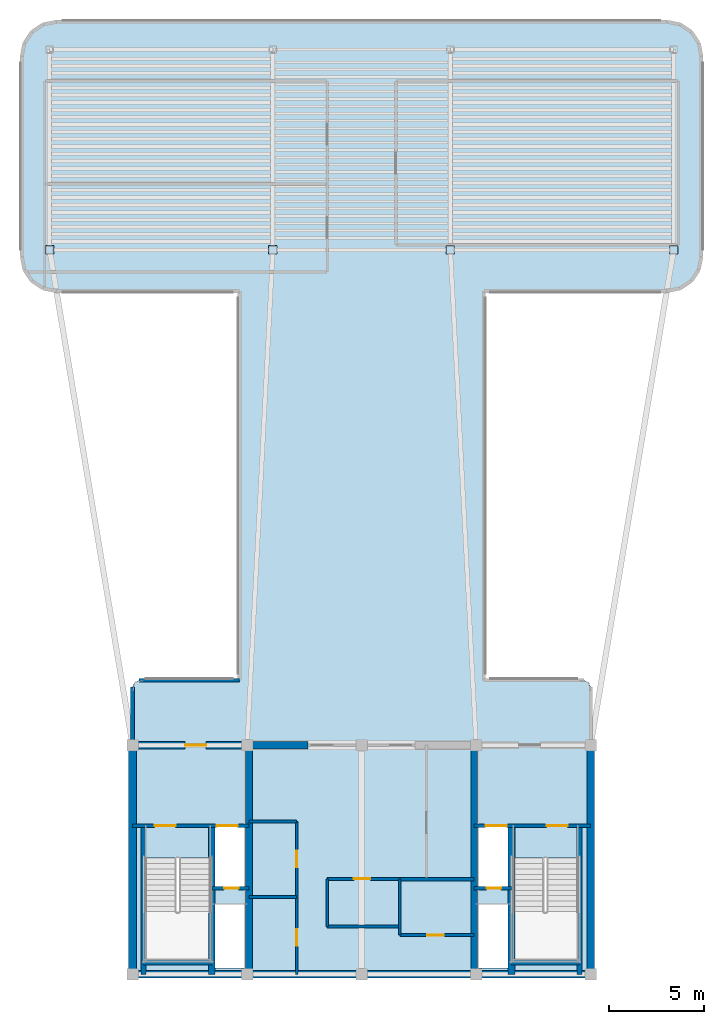
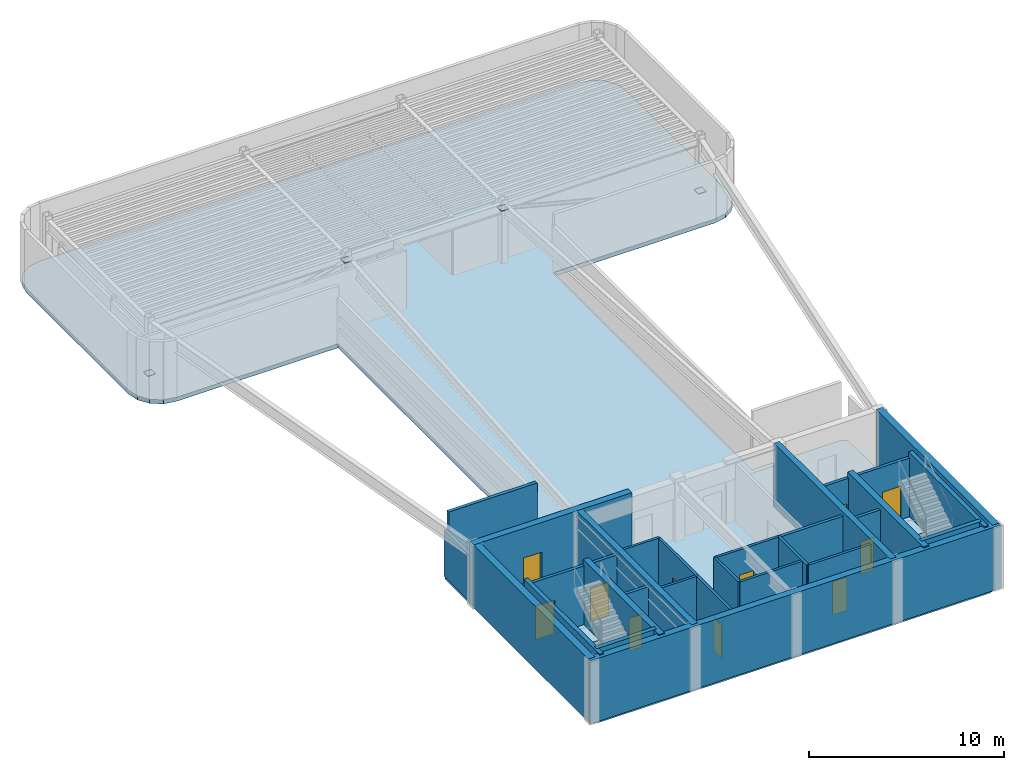
# One storey, part 2 of 6: 27 walls, 11 doors, 4 plates, 1 slab, 11 openings.
"""IFC4 building model written with IfcOpenShell, lengths in metres."""

import ifcopenshell
import ifcopenshell.guid

model = None  # the IFC model being written
_history = None  # IfcOwnerHistory: only IFC2X3 demands one
_inside = {}  # id of a spatial element -> (the spatial element, [elements in it])
_under = {}  # id of a project, library or spatial element -> (it, [spatial elements below it])
_declared = {}  # id of a project -> (the project, [libraries it declares])
_typed = {}  # id of a type object -> (the type object, [elements of that type])
_made_of = {}  # id of a material, layer set ... -> (it, [elements and type objects made of it])


def new_model(schema):
    """Start an empty IFC model of exactly this schema.

    Asked for "IFC4X3", IfcOpenShell would pick the latest addendum, in which some entities
    have other attributes; the version numbers below select the first issue.
    IFC2X3 requires an IfcOwnerHistory on every rooted entity: one is made here for all.
    """
    global model, _history
    if schema == "IFC4X3":
        model = ifcopenshell.file(schema_version=(4, 3, 0, 0))
    else:
        model = ifcopenshell.file(schema=schema)
    _inside.clear()
    _under.clear()
    _declared.clear()
    _typed.clear()
    _made_of.clear()
    _history = None
    if model.schema == "IFC2X3":
        org = make("IfcOrganization", Name="unknown")
        user = make(
            "IfcPersonAndOrganization",
            ThePerson=make("IfcPerson", FamilyName="unknown"),
            TheOrganization=org,
        )
        app = make(
            "IfcApplication",
            ApplicationDeveloper=org,
            Version="unknown",
            ApplicationFullName="unknown",
            ApplicationIdentifier="unknown",
        )
        _history = make(
            "IfcOwnerHistory",
            OwningUser=user,
            OwningApplication=app,
            ChangeAction="ADDED",
            CreationDate=0,
        )
    return model


def make(cls, **values):
    """One entity of the class cls with the attributes given. An attribute that is None is left unset."""
    return model.create_entity(
        cls, **{name: value for name, value in values.items() if value is not None}
    )


def rooted(cls, **values):
    """An entity with a GlobalId (a new one), such as an element, a storey or a relation."""
    return make(cls, GlobalId=ifcopenshell.guid.new(), OwnerHistory=_history, **values)


def si_unit(unit_type, name, prefix=None):
    """IfcSIUnit, for example si_unit("LENGTHUNIT", "METRE", prefix="MILLI")."""
    return make("IfcSIUnit", UnitType=unit_type, Prefix=prefix, Name=name)


def assignment(units):
    """IfcUnitAssignment: the units of a project."""
    return None if units is None else make("IfcUnitAssignment", Units=units)


def point(xyz):
    """IfcCartesianPoint."""
    return None if xyz is None else make("IfcCartesianPoint", Coordinates=xyz)


def direction(xyz):
    """IfcDirection."""
    return None if xyz is None else make("IfcDirection", DirectionRatios=xyz)


def frame(location, z_axis=None, x_axis=None):
    """IfcAxis2Placement3D, a coordinate frame: its origin and axes. An axis left out is left unset."""
    return make(
        "IfcAxis2Placement3D",
        Location=point(location),
        Axis=direction(z_axis),
        RefDirection=direction(x_axis),
    )


def frame_2d(location, x_axis=None):
    """IfcAxis2Placement2D, a coordinate frame in the plane: its origin and x axis."""
    return make(
        "IfcAxis2Placement2D", Location=point(location), RefDirection=direction(x_axis)
    )


def origin():
    """The frame at (0, 0, 0) with its axes left unset."""
    return frame((0.0, 0.0, 0.0))


def origin_2d():
    """The frame at (0, 0) in the plane with its x axis left unset."""
    return frame_2d((0.0, 0.0))


def place(relative_to, where):
    """IfcLocalPlacement: puts the frame where relative to a parent placement (None: the world)."""
    return make(
        "IfcLocalPlacement", PlacementRelTo=relative_to, RelativePlacement=where
    )


def context(
    kind, dimensions, precision=None, world=None, true_north=None, identifier=None
):
    """IfcGeometricRepresentationContext, for example the 3D "Model" context."""
    return make(
        "IfcGeometricRepresentationContext",
        ContextIdentifier=identifier,
        ContextType=kind,
        CoordinateSpaceDimension=dimensions,
        Precision=precision,
        WorldCoordinateSystem=world,
        TrueNorth=true_north,
    )


def subcontext(parent, identifier, kind, view, scale=None):
    """IfcGeometricRepresentationSubContext, for example "Body" below "Model"."""
    return make(
        "IfcGeometricRepresentationSubContext",
        ContextIdentifier=identifier,
        ContextType=kind,
        ParentContext=parent,
        TargetScale=scale,
        TargetView=view,
    )


def project(units=None, contexts=None):
    """IfcProject with its units and contexts."""
    return rooted(
        "IfcProject",
        Name="project",
        RepresentationContexts=contexts,
        UnitsInContext=assignment(units),
    )


def spatial(cls, under=None, at=None, **own):
    """A site, building, storey or space (cls), placed at a placement, below another one or the project."""
    s = rooted(cls, ObjectPlacement=at, **own)
    if under is not None:
        _under.setdefault(under.id(), (under, []))[1].append(s)
    return s


def polyline(points):
    """IfcPolyline through the points."""
    return make("IfcPolyline", Points=[point(p) for p in points])


def profile(cls, at=None, kind="AREA", **sizes):
    """A parametric profile (cls). Its sizes go by their IFC names, for example OverallWidth=200.0."""
    return make(cls, ProfileType=kind, Position=at, **sizes)


def rectangle(**sizes):
    """IfcRectangleProfileDef."""
    return profile("IfcRectangleProfileDef", **sizes)


def outline(outer, holes=None, kind="AREA"):
    """IfcArbitraryClosedProfileDef: a profile drawn as a closed curve; with holes, ...WithVoids."""
    if holes is None:
        return make("IfcArbitraryClosedProfileDef", ProfileType=kind, OuterCurve=outer)
    return make(
        "IfcArbitraryProfileDefWithVoids",
        ProfileType=kind,
        OuterCurve=outer,
        InnerCurves=holes,
    )


def extrude(swept, where, along, depth):
    """IfcExtrudedAreaSolid: the profile swept, set in the frame where, extruded along a direction by depth."""
    return make(
        "IfcExtrudedAreaSolid",
        SweptArea=swept,
        Position=where,
        ExtrudedDirection=direction(along),
        Depth=depth,
    )


def shape(context_of_items, identifier, shape_type, items):
    """IfcShapeRepresentation: the items that make up one representation, for example the "Body"."""
    return make(
        "IfcShapeRepresentation",
        ContextOfItems=context_of_items,
        RepresentationIdentifier=identifier,
        RepresentationType=shape_type,
        Items=items,
    )


def source(mapping_origin, context_of_items, identifier, shape_type, items):
    """IfcRepresentationMap: a shape defined once, which mapped items show again and again."""
    return make(
        "IfcRepresentationMap",
        MappingOrigin=mapping_origin,
        MappedRepresentation=shape(context_of_items, identifier, shape_type, items),
    )


def transform(
    local_origin,
    x_axis=None,
    y_axis=None,
    z_axis=None,
    scale=None,
    scale2=None,
    scale3=None,
    uniform=True,
):
    """IfcCartesianTransformationOperator3D, or its non-uniform kind. x_axis, y_axis, z_axis: its Axis1, 2, 3."""
    if uniform:
        return make(
            "IfcCartesianTransformationOperator3D",
            Axis1=direction(x_axis),
            Axis2=direction(y_axis),
            LocalOrigin=point(local_origin),
            Scale=scale,
            Axis3=direction(z_axis),
        )
    return make(
        "IfcCartesianTransformationOperator3DnonUniform",
        Axis1=direction(x_axis),
        Axis2=direction(y_axis),
        LocalOrigin=point(local_origin),
        Scale=scale,
        Axis3=direction(z_axis),
        Scale2=scale2,
        Scale3=scale3,
    )


def mapped(mapping_source, mapping_target):
    """IfcMappedItem: shows the shape of a source again, moved by a transform."""
    return make(
        "IfcMappedItem", MappingSource=mapping_source, MappingTarget=mapping_target
    )


def material(Name=None, Category=None):
    """IfcMaterial."""
    return make("IfcMaterial", Name=Name, Category=Category)


def layer(
    of_material, thickness, ventilated=None, Name=None, Category=None, Priority=None
):
    """IfcMaterialLayer: one layer of a wall or slab, of a material (None: an air gap)."""
    return make(
        "IfcMaterialLayer",
        Material=of_material,
        LayerThickness=thickness,
        IsVentilated=ventilated,
        Name=Name,
        Category=Category,
        Priority=Priority,
    )


def layer_set(layers, Name=None):
    """IfcMaterialLayerSet."""
    return make("IfcMaterialLayerSet", MaterialLayers=layers, LayerSetName=Name)


def made_of(thing, what):
    """Note that an element or type object is made of a material, layer set ...; save() writes the relation."""
    if what is not None:
        _made_of.setdefault(what.id(), (what, []))[1].append(thing)
    return thing


def type_object(cls, material=None, **own):
    """A type object (cls), such as IfcWallType, which elements share."""
    return made_of(rooted(cls, **own), material)


def element(
    cls,
    number,
    at=None,
    inside=None,
    cuts=None,
    type_object=None,
    material=None,
    context=None,
    identifier="Body",
    shape_type=None,
    held_by="IfcProductDefinitionShape",
    body=None,
    shapes=None,
    **own,
):
    """One element of the class cls, such as IfcWall. Its Tag is "e" and its number.

    at: its placement. inside: the storey or other place that contains it. cuts: it is an
    opening in that element (IfcRelVoidsElement). A single representation is given by context,
    identifier, shape_type and body (its items); several are given by shapes. held_by: the class
    of the entity that holds the representations. save() writes the other relations.
    """
    e = rooted(cls, Tag="e%d" % number, ObjectPlacement=at, **own)
    if body is not None:
        shapes = [shape(context, identifier, shape_type, body)]
    if shapes is not None:
        e.Representation = make(held_by, Representations=shapes)
    if inside is not None:
        _inside.setdefault(inside.id(), (inside, []))[1].append(e)
    if cuts is not None:
        rooted(
            "IfcRelVoidsElement", RelatingBuildingElement=cuts, RelatedOpeningElement=e
        )
    if type_object is not None:
        _typed.setdefault(type_object.id(), (type_object, []))[1].append(e)
    return made_of(e, material)


def fill(opening, filler):
    """IfcRelFillsElement: the door or window that sits in an opening."""
    return rooted(
        "IfcRelFillsElement",
        RelatingOpeningElement=opening,
        RelatedBuildingElement=filler,
    )


def aggregate(whole, parts):
    """IfcRelAggregates: a whole, such as a stair, and the parts it consists of."""
    return rooted("IfcRelAggregates", RelatingObject=whole, RelatedObjects=parts)


def save(model, path):
    """Write the relations noted so far, then the file.

    IfcRelAggregates (storeys below a building ...), IfcRelContainedInSpatialStructure (elements
    in a storey), IfcRelDefinesByType, IfcRelAssociatesMaterial and IfcRelDeclares: one each for
    every whole, place, type object, material and project.
    """
    for whole, parts in _under.values():
        aggregate(whole, parts)
    for where, things in _inside.values():
        rooted(
            "IfcRelContainedInSpatialStructure",
            RelatedElements=things,
            RelatingStructure=where,
        )
    for kind, things in _typed.values():
        rooted("IfcRelDefinesByType", RelatedObjects=things, RelatingType=kind)
    for what, things in _made_of.values():
        rooted("IfcRelAssociatesMaterial", RelatedObjects=things, RelatingMaterial=what)
    for by, libraries in _declared.values():
        rooted("IfcRelDeclares", RelatingContext=by, RelatedDefinitions=libraries)
    model.write(path)


model = new_model("IFC4")

# Units and contexts
model_context = context("Model", 3, precision=1e-05, world=origin(), true_north=direction((0.0, 1.0)))
body_context = subcontext(model_context, "Body", "Model", "MODEL_VIEW")
ifc_project = project(units=[si_unit("LENGTHUNIT", "METRE"), si_unit("AREAUNIT", "SQUARE_METRE"), si_unit("VOLUMEUNIT", "CUBIC_METRE"), si_unit("PLANEANGLEUNIT", "RADIAN"), si_unit("MASSUNIT", "GRAM", prefix="KILO")], contexts=[model_context])

# Site, building, storey
site_placement = place(None, origin())
site = spatial("IfcSite", under=ifc_project, at=site_placement, CompositionType="ELEMENT")
building_placement = place(site_placement, origin())
building = spatial("IfcBuilding", under=site, at=building_placement, Name="Brelvock Crest Care Tower", CompositionType="ELEMENT")
storey_placement = place(building_placement, frame((0.0, 0.0, 311.760009765625)))
storey = spatial("IfcBuildingStorey", under=building, at=storey_placement, Name="L79", CompositionType="ELEMENT", Elevation=311.760009765625)

# Slab
ifc_material_1 = material(Name="Concrete N50 (50 MPa)", Category="concrete")
ifc_layer_1 = layer(ifc_material_1, 0.25, Name="SLB-FL3")
ifc_layer_set_1 = layer_set([ifc_layer_1], Name="Concrete N50 (50 MPa)")
slab_type = type_object("IfcSlabType", Name="SLB-FL3", PredefinedType="FLOOR", material=ifc_layer_set_1)
slab_placement = place(storey_placement, frame((0.0, 0.0, -0.25)))
element("IfcSlab", 1, at=slab_placement, inside=storey, type_object=slab_type, Name="L79 Main Structural Slab", PredefinedType="FLOOR", context=body_context, shape_type="SweptSolid", body=[
    extrude(outline(polyline([(42.39990234375, 21.39990234375), (42.39990234375, 41.800048828125), (52.0, 41.800048828125), (52.688720703125, 41.93701171875), (53.272705078125, 42.3271484375), (53.6630859375, 42.9111328125), (53.800048828125, 43.60009765625), (53.800048828125, 54.10009765625), (53.6630859375, 54.788818359375), (53.272705078125, 55.372802734375), (52.688720703125, 55.762939453125), (52.0, 55.89990234375), (20.0, 55.89990234375), (19.311279296875, 55.762939453125), (18.727294921875, 55.372802734375), (18.3369140625, 54.788818359375), (18.199951171875, 54.10009765625), (18.199951171875, 43.60009765625), (18.3369140625, 42.9111328125), (18.727294921875, 42.3271484375), (19.311279296875, 41.93701171875), (20.0, 41.800048828125), (29.60009765625, 41.800048828125), (29.60009765625, 21.39990234375), (24.35009765625, 21.39990234375), (24.1025390625, 21.297607421875), (24.0, 21.050048828125), (24.0, 6.35009765625), (24.1025390625, 6.1025390625), (24.35009765625, 6.0), (47.64990234375, 6.0), (47.8974609375, 6.1025390625), (48.0, 6.35009765625), (48.0, 21.050048828125), (47.8974609375, 21.297607421875), (47.64990234375, 21.39990234375), (42.39990234375, 21.39990234375)]), holes=[polyline([(28.239990234375, 10.580078125), (29.97998046875, 10.580078125), (29.97998046875, 13.739990234375), (28.239990234375, 13.739990234375), (28.239990234375, 10.580078125)]), polyline([(42.02001953125, 10.580078125), (43.760009765625, 10.580078125), (43.760009765625, 13.739990234375), (42.02001953125, 13.739990234375), (42.02001953125, 10.580078125)]), polyline([(28.239990234375, 6.340087890625), (29.97998046875, 6.340087890625), (29.97998046875, 9.64990234375), (28.239990234375, 9.64990234375), (28.239990234375, 6.340087890625)]), polyline([(24.6298828125, 12.080078125), (24.6298828125, 6.699951171875), (28.110107421875, 6.699951171875), (28.110107421875, 12.080078125), (24.6298828125, 12.080078125)]), polyline([(43.889892578125, 12.080078125), (43.889892578125, 6.699951171875), (47.3701171875, 6.699951171875), (47.3701171875, 12.080078125), (43.889892578125, 12.080078125)]), polyline([(42.02001953125, 6.340087890625), (43.760009765625, 6.340087890625), (43.760009765625, 9.64990234375), (42.02001953125, 9.64990234375), (42.02001953125, 6.340087890625)])]), origin(), (0.0, 0.0, 1.0), 0.25),
])

# Plates
ifc_material_2 = material(Name="Steel Grade 350", Category="steel")
plate_type = type_object("IfcPlateType", Name="PLT-EC3", PredefinedType="USERDEFINED", material=ifc_material_2)
shared_shape_1 = source(origin(), body_context, "Body", "SweptSolid", [
    extrude(rectangle(XDim=0.449951171875, YDim=0.449951171875, at=origin_2d()), origin(), (0.0, 0.0, 1.0), 0.02490234375),
])
for number, where, z_axis, x_axis, name in (
    (2, (19.64990234375, 43.949951171875, 0.337646484375), (0.0, 0.0, 1.0), (1.0, 0.0, 0.0), "PLT-CANSTC1-L79-W"),
    (3, (31.35009765625, 43.949951171875, 3.34765625), (0.0, 0.0, 1.0), (1.0, 0.0, 0.0), "PLT-CANSTC2-L79-W"),
    (4, (52.35009765625, 43.949951171875, 0.337646484375), (0.0, 0.0, 1.0), (1.0, 0.0, 0.0), "PLT-CANSTC1-L79-E"),
    (5, (40.64990234375, 43.949951171875, 3.34765625), (0.0, 0.0, 1.0), (1.0, 0.0, 0.0), "PLT-CANSTC2-L79-E"),
):
    element("IfcPlate", number, at=place(storey_placement, frame(where, z_axis=z_axis, x_axis=x_axis)), inside=storey, type_object=plate_type, Name=name, ObjectType="FLANGE_PLATE", PredefinedType="USERDEFINED", context=body_context, shape_type="MappedRepresentation", body=[
        mapped(shared_shape_1, transform((0.0, 0.0, 0.0), x_axis=(1.0, 0.0, 0.0), y_axis=(0.0, 1.0, 0.0), z_axis=(0.0, 0.0, 1.0), scale=1.0)),
    ])

# Walls
ifc_material_3 = material(Name="Concrete S65 (65 MPa)", Category="concrete")
ifc_layer_2 = layer(ifc_material_3, 0.39990234375, Name="WL-CS4")
ifc_layer_set_2 = layer_set([ifc_layer_2], Name="Concrete S65 (65 MPa)")
wall_type_1 = type_object("IfcWallType", Name="WL-CS4", PredefinedType="SHEAR", material=ifc_layer_set_2)
wall_1_placement = place(storey_placement, frame((48.199951171875, 6.0, 0.0), z_axis=(0.0, 0.0, 1.0), x_axis=(-1.0, 0.0, 0.0)))
element("IfcWall", 6, at=wall_1_placement, inside=storey, type_object=wall_type_1, Name="L79 Core South Shear Wall", PredefinedType="SHEAR", context=body_context, shape_type="SweptSolid", body=[
    extrude(rectangle(XDim=24.39990234375, YDim=0.39990234375, at=frame_2d((12.199951171875, 0.0))), origin(), (0.0, 0.0, 1.0), 3.9599609375),
])
for number, where, z_axis, x_axis, name in (
    (7, (24.0, 6.0, 0.0), (0.0, 0.0, 1.0), (0.0, 1.0, 0.0), "L79 Core West Shear Wall"),
    (8, (48.0, 18.0, 0.0), (0.0, 0.0, 1.0), (0.0, -1.0, 0.0), "L79 Core East Shear Wall"),
):
    element("IfcWall", number, at=place(storey_placement, frame(where, z_axis=z_axis, x_axis=x_axis)), inside=storey, type_object=wall_type_1, Name=name, PredefinedType="SHEAR", context=body_context, shape_type="SweptSolid", body=[
        extrude(rectangle(XDim=12.0, YDim=0.39990234375, at=frame_2d((6.0, 0.0))), origin(), (0.0, 0.0, 1.0), 3.9599609375),
    ])

# Wall, opening, door
wall_2_placement = place(storey_placement, frame((23.800048828125, 18.0, 0.0), z_axis=(0.0, 0.0, 1.0), x_axis=(1.0, 0.0, 0.0)))
wall_2 = element("IfcWall", 9, at=wall_2_placement, inside=storey, type_object=wall_type_1, Name="L79 Core North-West Shear Wall", PredefinedType="SHEAR", context=body_context, shape_type="SweptSolid", body=[
    extrude(rectangle(XDim=9.39990234375, YDim=0.39990234375, at=frame_2d((4.699951171875, 0.0))), origin(), (0.0, 0.0, 1.0), 3.9599609375),
])
opening_1_placement = place(wall_2_placement, frame((2.949951171875, 0.0, 0.0)))
opening_1 = element("IfcOpeningElement", 10, at=opening_1_placement, cuts=wall_2, Name="Opening FD-1", PredefinedType="OPENING", context=body_context, shape_type="SweptSolid", body=[
    extrude(rectangle(XDim=1.10009765625, YDim=2.10009765625, at=origin_2d()), frame((0.550048828125, 0.2099609375, 1.050048828125), z_axis=(0.0, -1.0, 0.0), x_axis=(1.0, 0.0, 0.0)), (0.0, 0.0, 1.0), 0.419921875),
])
door_type_1 = type_object("IfcDoorType", Name="DR-FFL1", OperationType="NOTDEFINED", PredefinedType="DOOR", material=ifc_material_2)
shared_shape_2 = source(origin(), body_context, "Body", "SweptSolid", [
    extrude(rectangle(XDim=1.10009765625, YDim=2.10009765625, at=origin_2d()), frame((0.550048828125, 0.02490234375, 1.050048828125), z_axis=(0.0, -1.0, 0.0), x_axis=(1.0, 0.0, 0.0)), (0.0, 0.0, 1.0), 0.050048828125),
])
door_1_placement = place(opening_1_placement, origin())
door_1 = element("IfcDoor", 11, at=door_1_placement, inside=storey, type_object=door_type_1, Name="L79 Firefighting Lobby FFL-1 Exit Door", OperationType="SINGLE_SWING_LEFT", OverallHeight=2.10009765625, OverallWidth=1.10009765625, PredefinedType="DOOR", context=body_context, shape_type="MappedRepresentation", body=[
    mapped(shared_shape_2, transform((0.0, 0.0, 0.0), x_axis=(1.0, 0.0, 0.0), y_axis=(0.0, 1.0, 0.0), z_axis=(0.0, 0.0, 1.0), scale=1.0)),
])
fill(opening_1, door_1)

# Walls
ifc_material_4 = material(Name="Concrete S80 (80 MPa)", Category="concrete")
ifc_layer_3 = layer(ifc_material_4, 0.35009765625, Name="WL-CS5")
ifc_layer_set_3 = layer_set([ifc_layer_3], Name="Concrete S80 (80 MPa)")
wall_type_2 = type_object("IfcWallType", Name="WL-CS5", PredefinedType="SHEAR", material=ifc_layer_set_3)
for number, where, z_axis, x_axis, name in (
    (12, (30.10009765625, 6.0, 0.0), (0.0, 0.0, 1.0), (0.0, 1.0, 0.0), "L79 Core Internal Web Wall West"),
    (13, (41.89990234375, 18.0, 0.0), (0.0, 0.0, 1.0), (0.0, -1.0, 0.0), "L79 Core Internal Web Wall East"),
):
    element("IfcWall", number, at=place(storey_placement, frame(where, z_axis=z_axis, x_axis=x_axis)), inside=storey, type_object=wall_type_2, Name=name, PredefinedType="SHEAR", context=body_context, shape_type="SweptSolid", body=[
        extrude(rectangle(XDim=12.0, YDim=0.35009765625, at=frame_2d((6.0, 0.0))), origin(), (0.0, 0.0, 1.0), 3.9599609375),
    ])
for number, where, z_axis, x_axis, name in (
    (14, (28.14990234375, 6.0, 0.0), (0.0, 0.0, 1.0), (0.0, 1.0, 0.0), "L79 Core Stair ST-1 East Shear Wall"),
    (15, (43.85009765625, 6.0, 0.0), (0.0, 0.0, 1.0), (0.0, 1.0, 0.0), "L79 Core Stair ST-2 West Shear Wall"),
):
    element("IfcWall", number, at=place(storey_placement, frame(where, z_axis=z_axis, x_axis=x_axis)), inside=storey, type_object=wall_type_2, Name=name, PredefinedType="SHEAR", context=body_context, shape_type="SweptSolid", body=[
        extrude(rectangle(XDim=7.780029296875, YDim=0.35009765625, at=frame_2d((3.89013671875, 0.0))), origin(), (0.0, 0.0, 1.0), 4.030029296875),
    ])
ifc_layer_4 = layer(ifc_material_4, 0.25, Name="WL-CS6")
ifc_layer_set_4 = layer_set([ifc_layer_4], Name="Concrete S80 (80 MPa)")
wall_type_3 = type_object("IfcWallType", Name="WL-CS6", PredefinedType="SHEAR", material=ifc_layer_set_4)
wall_3_placement = place(storey_placement, frame((24.580078125, 6.0, 0.0), z_axis=(0.0, 0.0, 1.0), x_axis=(0.0, 1.0, 0.0)))
element("IfcWall", 16, at=wall_3_placement, inside=storey, type_object=wall_type_3, Name="L79 Core Stair ST-1 West Shear Wall", PredefinedType="SHEAR", context=body_context, shape_type="SweptSolid", body=[
    extrude(rectangle(XDim=7.780029296875, YDim=0.25, at=frame_2d((3.89013671875, 0.0))), origin(), (0.0, 0.0, 1.0), 4.030029296875),
])
wall_4_placement = place(storey_placement, frame((24.580078125, 6.6201171875, 0.0), z_axis=(0.0, 0.0, 1.0), x_axis=(1.0, 0.0, 0.0)))
element("IfcWall", 17, at=wall_4_placement, inside=storey, type_object=wall_type_3, Name="L79 Core Stair ST-1 South Shear Wall", PredefinedType="SHEAR", context=body_context, shape_type="SweptSolid", body=[
    extrude(rectangle(XDim=3.56982421875, YDim=0.25, at=frame_2d((1.784912109375, 0.0))), origin(), (0.0, 0.0, 1.0), 4.030029296875),
])
wall_5_placement = place(storey_placement, frame((47.419921875, 6.0, 0.0), z_axis=(0.0, 0.0, 1.0), x_axis=(0.0, 1.0, 0.0)))
element("IfcWall", 18, at=wall_5_placement, inside=storey, type_object=wall_type_3, Name="L79 Core Stair ST-2 East Shear Wall", PredefinedType="SHEAR", context=body_context, shape_type="SweptSolid", body=[
    extrude(rectangle(XDim=7.780029296875, YDim=0.25, at=frame_2d((3.89013671875, 0.0))), origin(), (0.0, 0.0, 1.0), 4.030029296875),
])
wall_6_placement = place(storey_placement, frame((43.85009765625, 6.6201171875, 0.0), z_axis=(0.0, 0.0, 1.0), x_axis=(1.0, 0.0, 0.0)))
element("IfcWall", 19, at=wall_6_placement, inside=storey, type_object=wall_type_3, Name="L79 Core Stair ST-2 South Shear Wall", PredefinedType="SHEAR", context=body_context, shape_type="SweptSolid", body=[
    extrude(rectangle(XDim=3.56982421875, YDim=0.25, at=frame_2d((1.784912109375, 0.0))), origin(), (0.0, 0.0, 1.0), 4.030029296875),
])
ifc_material_5 = material(Name="Precast concrete N40 (40 MPa)", Category="concrete")
ifc_layer_5 = layer(ifc_material_5, 0.195068359375, Name="WL-EX3")
ifc_layer_set_5 = layer_set([ifc_layer_5], Name="Precast concrete N40 (40 MPa)")
wall_type_4 = type_object("IfcWallType", Name="WL-EX3", PredefinedType="SOLIDWALL", material=ifc_layer_set_5)
wall_7_placement = place(storey_placement, frame((24.0, 18.280029296875, 0.0), z_axis=(0.0, 0.0, 1.0), x_axis=(0.0, 1.0, 0.0)))
element("IfcWall", 20, at=wall_7_placement, inside=storey, type_object=wall_type_4, Name="L79 Crown and Plant Cladding Wall 08", PredefinedType="SOLIDWALL", context=body_context, shape_type="SweptSolid", body=[
    extrude(rectangle(XDim=2.77001953125, YDim=0.195068359375, at=frame_2d((1.385009765625, 0.0))), origin(), (0.0, 0.0, 1.0), 2.89794921875),
])
wall_8_placement = place(storey_placement, frame((24.35009765625, 21.39990234375, 0.0), z_axis=(0.0, 0.0, 1.0), x_axis=(1.0, 0.0, 0.0)))
element("IfcWall", 21, at=wall_8_placement, inside=storey, type_object=wall_type_4, Name="L79 Crown and Plant Cladding Wall 11", PredefinedType="SOLIDWALL", context=body_context, shape_type="SweptSolid", body=[
    extrude(rectangle(XDim=5.25, YDim=0.195068359375, at=frame_2d((2.625, 0.0))), origin(), (0.0, 0.0, 1.0), 3.7099609375),
])
ifc_material_6 = material(Name="Masonry Blockwork Acoustic Partition", Category="masonry")
ifc_layer_6 = layer(ifc_material_6, 0.14990234375, Name="WL-INT1")
ifc_layer_set_6 = layer_set([ifc_layer_6], Name="Masonry Blockwork Acoustic Partition")
wall_type_5 = type_object("IfcWallType", Name="WL-INT1", PredefinedType="PARTITIONING", material=ifc_layer_set_6)
wall_9_placement = place(storey_placement, frame((30.10009765625, 14.0, 0.0), z_axis=(0.0, 0.0, 1.0), x_axis=(1.0, 0.0, 0.0)))
element("IfcWall", 22, at=wall_9_placement, inside=storey, type_object=wall_type_5, Name="L79 Interior Wall WL-CRCL-N1-L79", PredefinedType="PARTITIONING", context=body_context, shape_type="SweptSolid", body=[
    extrude(rectangle(XDim=2.5, YDim=0.14990234375, at=frame_2d((1.25, 0.0))), origin(), (0.0, 0.0, 1.0), 3.679931640625),
])
wall_10_placement = place(storey_placement, frame((34.199951171875, 8.5, 0.0), z_axis=(0.0, 0.0, 1.0), x_axis=(1.0, 0.0, 0.0)))
element("IfcWall", 23, at=wall_10_placement, inside=storey, type_object=wall_type_5, Name="L79 Interior Wall WL-CRCM-SW-L79", PredefinedType="PARTITIONING", context=body_context, shape_type="SweptSolid", body=[
    extrude(rectangle(XDim=3.800048828125, YDim=0.14990234375, at=frame_2d((1.89990234375, 0.0))), origin(), (0.0, 0.0, 1.0), 3.679931640625),
])

# Wall, opening, door
wall_11_placement = place(storey_placement, frame((38.0, 8.050048828125, 0.0), z_axis=(0.0, 0.0, 1.0), x_axis=(1.0, 0.0, 0.0)))
wall_11 = element("IfcWall", 24, at=wall_11_placement, inside=storey, type_object=wall_type_5, Name="L79 Interior Wall WL-CRCM-SE-L79", PredefinedType="PARTITIONING", context=body_context, shape_type="SweptSolid", body=[
    extrude(rectangle(XDim=3.89990234375, YDim=0.14990234375, at=frame_2d((1.949951171875, 0.0))), origin(), (0.0, 0.0, 1.0), 3.679931640625),
])
opening_2_placement = place(wall_11_placement, frame((1.449951171875, 0.0, 0.0)))
opening_2 = element("IfcOpeningElement", 25, at=opening_2_placement, cuts=wall_11, Name="Opening ID-1", PredefinedType="OPENING", context=body_context, shape_type="SweptSolid", body=[
    extrude(rectangle(XDim=0.860107421875, YDim=2.10009765625, at=origin_2d()), frame((0.43017578125, 0.0849609375, 1.050048828125), z_axis=(0.0, -1.0, 0.0), x_axis=(1.0, 0.0, 0.0)), (0.0, 0.0, 1.0), 0.169921875),
])
ifc_material_7 = material(Name="Engineered Hardwood Timber", Category="wood")
door_type_2 = type_object("IfcDoorType", Name="DR-INT1", OperationType="NOTDEFINED", PredefinedType="DOOR", material=ifc_material_7)
shared_shape_3 = source(origin(), body_context, "Body", "SweptSolid", [
    extrude(rectangle(XDim=0.860107421875, YDim=2.10009765625, at=origin_2d()), frame((0.43017578125, 0.02490234375, 1.050048828125), z_axis=(0.0, -1.0, 0.0), x_axis=(1.0, 0.0, 0.0)), (0.0, 0.0, 1.0), 0.050048828125),
])
door_2_placement = place(opening_2_placement, origin())
door_2 = element("IfcDoor", 26, at=door_2_placement, inside=storey, type_object=door_type_2, Name="DR-CRCM2-L79", OperationType="SINGLE_SWING_LEFT", OverallHeight=2.10009765625, OverallWidth=0.860107421875, PredefinedType="DOOR", context=body_context, shape_type="MappedRepresentation", body=[
    mapped(shared_shape_3, transform((0.0, 0.0, 0.0), x_axis=(1.0, 0.0, 0.0), y_axis=(0.0, 1.0, 0.0), z_axis=(0.0, 0.0, 1.0), scale=1.0)),
])
fill(opening_2, door_2)

# Walls
wall_12_placement = place(storey_placement, frame((34.199951171875, 8.5, 0.0), z_axis=(0.0, 0.0, 1.0), x_axis=(0.0, 1.0, 0.0)))
element("IfcWall", 27, at=wall_12_placement, inside=storey, type_object=wall_type_5, Name="L79 Interior Wall WL-CRCM-W-L79", PredefinedType="PARTITIONING", context=body_context, shape_type="SweptSolid", body=[
    extrude(rectangle(XDim=2.5, YDim=0.14990234375, at=frame_2d((1.25, 0.0))), origin(), (0.0, 0.0, 1.0), 3.679931640625),
])
wall_13_placement = place(storey_placement, frame((38.0, 8.050048828125, 0.0), z_axis=(0.0, 0.0, 1.0), x_axis=(0.0, 1.0, 0.0)))
element("IfcWall", 28, at=wall_13_placement, inside=storey, type_object=wall_type_5, Name="L79 Interior Wall WL-CRCM-V-L79", PredefinedType="PARTITIONING", context=body_context, shape_type="SweptSolid", body=[
    extrude(rectangle(XDim=2.949951171875, YDim=0.14990234375, at=frame_2d((1.47509765625, 0.0))), origin(), (0.0, 0.0, 1.0), 3.679931640625),
])

# Wall, opening, door
wall_14_placement = place(storey_placement, frame((34.199951171875, 11.0, 0.0), z_axis=(0.0, 0.0, 1.0), x_axis=(1.0, 0.0, 0.0)))
wall_14 = element("IfcWall", 29, at=wall_14_placement, inside=storey, type_object=wall_type_5, Name="L79 Interior Wall WL-CRCM-NW-L79", PredefinedType="PARTITIONING", context=body_context, shape_type="SweptSolid", body=[
    extrude(rectangle(XDim=3.800048828125, YDim=0.14990234375, at=frame_2d((1.89990234375, 0.0))), origin(), (0.0, 0.0, 1.0), 3.679931640625),
])
opening_3_placement = place(wall_14_placement, frame((1.39990234375, 0.0, 0.0)))
opening_3 = element("IfcOpeningElement", 30, at=opening_3_placement, cuts=wall_14, Name="Opening ID-1", PredefinedType="OPENING", context=body_context, shape_type="SweptSolid", body=[
    extrude(rectangle(XDim=0.860107421875, YDim=2.10009765625, at=origin_2d()), frame((0.43017578125, 0.0849609375, 1.050048828125), z_axis=(0.0, -1.0, 0.0), x_axis=(1.0, 0.0, 0.0)), (0.0, 0.0, 1.0), 0.169921875),
])
door_3_placement = place(opening_3_placement, origin())
door_3 = element("IfcDoor", 31, at=door_3_placement, inside=storey, type_object=door_type_2, Name="DR-CRCM1-L79", OperationType="SINGLE_SWING_LEFT", OverallHeight=2.10009765625, OverallWidth=0.860107421875, PredefinedType="DOOR", context=body_context, shape_type="MappedRepresentation", body=[
    mapped(shared_shape_3, transform((0.0, 0.0, 0.0), x_axis=(1.0, 0.0, 0.0), y_axis=(0.0, 1.0, 0.0), z_axis=(0.0, 0.0, 1.0), scale=1.0)),
])
fill(opening_3, door_3)

# Wall
wall_15_placement = place(storey_placement, frame((30.10009765625, 10.050048828125, 0.0), z_axis=(0.0, 0.0, 1.0), x_axis=(1.0, 0.0, 0.0)))
element("IfcWall", 32, at=wall_15_placement, inside=storey, type_object=wall_type_5, Name="L79 Interior Wall WL-CSBW-S1-L79", PredefinedType="PARTITIONING", context=body_context, shape_type="SweptSolid", body=[
    extrude(rectangle(XDim=2.5, YDim=0.14990234375, at=frame_2d((1.25, 0.0))), origin(), (0.0, 0.0, 1.0), 3.679931640625),
])

# Wall, openings, doors
wall_16_placement = place(storey_placement, frame((32.60009765625, 6.0, 0.0), z_axis=(0.0, 0.0, 1.0), x_axis=(0.0, 1.0, 0.0)))
wall_16 = element("IfcWall", 33, at=wall_16_placement, inside=storey, type_object=wall_type_5, Name="L79 Interior Wall WL-CRCL-E-L79", PredefinedType="PARTITIONING", context=body_context, shape_type="SweptSolid", body=[
    extrude(rectangle(XDim=8.0, YDim=0.14990234375, at=frame_2d((4.0, 0.0))), origin(), (0.0, 0.0, 1.0), 3.679931640625),
])
opening_4_placement = place(wall_16_placement, frame((1.5, 0.0, 0.0)))
opening_4 = element("IfcOpeningElement", 34, at=opening_4_placement, cuts=wall_16, Name="Opening ID-1", PredefinedType="OPENING", context=body_context, shape_type="SweptSolid", body=[
    extrude(rectangle(XDim=0.860107421875, YDim=2.10009765625, at=origin_2d()), frame((0.43017578125, 0.0849609375, 1.050048828125), z_axis=(0.0, -1.0, 0.0), x_axis=(1.0, 0.0, 0.0)), (0.0, 0.0, 1.0), 0.169921875),
])
opening_5_placement = place(wall_16_placement, frame((5.60009765625, 0.0, 0.0)))
opening_5 = element("IfcOpeningElement", 35, at=opening_5_placement, cuts=wall_16, Name="Opening ID-1", PredefinedType="OPENING", context=body_context, shape_type="SweptSolid", body=[
    extrude(rectangle(XDim=0.860107421875, YDim=2.10009765625, at=origin_2d()), frame((0.43017578125, 0.0849609375, 1.050048828125), z_axis=(0.0, -1.0, 0.0), x_axis=(1.0, 0.0, 0.0)), (0.0, 0.0, 1.0), 0.169921875),
])
door_4_placement = place(opening_4_placement, origin())
door_4 = element("IfcDoor", 36, at=door_4_placement, inside=storey, type_object=door_type_2, Name="DR-CSBW-L79", OperationType="SINGLE_SWING_LEFT", OverallHeight=2.10009765625, OverallWidth=0.860107421875, PredefinedType="DOOR", context=body_context, shape_type="MappedRepresentation", body=[
    mapped(shared_shape_3, transform((0.0, 0.0, 0.0), x_axis=(1.0, 0.0, 0.0), y_axis=(0.0, 1.0, 0.0), z_axis=(0.0, 0.0, 1.0), scale=1.0)),
])
fill(opening_4, door_4)
door_5_placement = place(opening_5_placement, origin())
door_5 = element("IfcDoor", 37, at=door_5_placement, inside=storey, type_object=door_type_2, Name="DR-CRCL1-L79", OperationType="SINGLE_SWING_LEFT", OverallHeight=2.10009765625, OverallWidth=0.860107421875, PredefinedType="DOOR", context=body_context, shape_type="MappedRepresentation", body=[
    mapped(shared_shape_3, transform((0.0, 0.0, 0.0), x_axis=(1.0, 0.0, 0.0), y_axis=(0.0, 1.0, 0.0), z_axis=(0.0, 0.0, 1.0), scale=1.0)),
])
fill(opening_5, door_5)

# Wall
ifc_layer_7 = layer(ifc_material_6, 0.179931640625, Name="WL-SHF1")
ifc_layer_set_7 = layer_set([ifc_layer_7], Name="Masonry Blockwork Acoustic Partition")
wall_type_6 = type_object("IfcWallType", Name="WL-SHF1", PredefinedType="PARTITIONING", material=ifc_layer_set_7)
wall_17_placement = place(storey_placement, frame((38.0, 10.97998046875, 0.0), z_axis=(0.0, 0.0, 1.0), x_axis=(1.0, 0.0, 0.0)))
element("IfcWall", 38, at=wall_17_placement, inside=storey, type_object=wall_type_6, Name="L79 Interior Wall WL-CRCM-NE-L79", PredefinedType="PARTITIONING", context=body_context, shape_type="SweptSolid", body=[
    extrude(rectangle(XDim=3.89990234375, YDim=0.179931640625, at=frame_2d((1.949951171875, 0.0))), origin(), (0.0, 0.0, 1.0), 3.679931640625),
])

# Wall, openings, doors
wall_18_placement = place(storey_placement, frame((24.0, 13.780029296875, 0.0), z_axis=(0.0, 0.0, 1.0), x_axis=(1.0, 0.0, 0.0)))
wall_18 = element("IfcWall", 39, at=wall_18_placement, inside=storey, type_object=wall_type_6, Name="L79 Interior Wall WL-ST1-N-L79", PredefinedType="PARTITIONING", context=body_context, shape_type="SweptSolid", body=[
    extrude(rectangle(XDim=6.10009765625, YDim=0.179931640625, at=frame_2d((3.050048828125, 0.0))), origin(), (0.0, 0.0, 1.0), 3.679931640625),
])
opening_6_placement = place(wall_18_placement, frame((1.14990234375, 0.0, 0.0)))
opening_6 = element("IfcOpeningElement", 40, at=opening_6_placement, cuts=wall_18, Name="Opening SD-1", PredefinedType="OPENING", context=body_context, shape_type="SweptSolid", body=[
    extrude(rectangle(XDim=1.10009765625, YDim=2.10009765625, at=origin_2d()), frame((0.550048828125, 0.10009765625, 1.050048828125), z_axis=(0.0, -1.0, 0.0), x_axis=(1.0, 0.0, 0.0)), (0.0, 0.0, 1.0), 0.199951171875),
])
opening_7_placement = place(wall_18_placement, frame((4.39990234375, 0.0, 0.0)))
opening_7 = element("IfcOpeningElement", 41, at=opening_7_placement, cuts=wall_18, Name="Opening LD", PredefinedType="OPENING", context=body_context, shape_type="SweptSolid", body=[
    extrude(rectangle(XDim=1.10009765625, YDim=2.10009765625, at=origin_2d()), frame((0.550048828125, 0.10009765625, 1.050048828125), z_axis=(0.0, -1.0, 0.0), x_axis=(1.0, 0.0, 0.0)), (0.0, 0.0, 1.0), 0.199951171875),
])
door_type_3 = type_object("IfcDoorType", Name="DR-ST1", OperationType="NOTDEFINED", PredefinedType="DOOR", material=ifc_material_2)
shared_shape_4 = source(origin(), body_context, "Body", "SweptSolid", [
    extrude(rectangle(XDim=1.10009765625, YDim=2.10009765625, at=origin_2d()), frame((0.550048828125, 0.02490234375, 1.050048828125), z_axis=(0.0, -1.0, 0.0), x_axis=(1.0, 0.0, 0.0)), (0.0, 0.0, 1.0), 0.050048828125),
])
door_6_placement = place(opening_6_placement, origin())
door_6 = element("IfcDoor", 42, at=door_6_placement, inside=storey, type_object=door_type_3, Name="L79 Fire Stair ST-1 Door", OperationType="SINGLE_SWING_LEFT", OverallHeight=2.10009765625, OverallWidth=1.10009765625, PredefinedType="DOOR", context=body_context, shape_type="MappedRepresentation", body=[
    mapped(shared_shape_4, transform((0.0, 0.0, 0.0), x_axis=(1.0, 0.0, 0.0), y_axis=(0.0, 1.0, 0.0), z_axis=(0.0, 0.0, 1.0), scale=1.0)),
])
fill(opening_6, door_6)
door_type_4 = type_object("IfcDoorType", Name="DR-LD1", OperationType="NOTDEFINED", PredefinedType="DOOR", material=ifc_material_2)
shared_shape_5 = source(origin(), body_context, "Body", "SweptSolid", [
    extrude(rectangle(XDim=1.10009765625, YDim=2.10009765625, at=origin_2d()), frame((0.550048828125, 0.02490234375, 1.050048828125), z_axis=(0.0, -1.0, 0.0), x_axis=(1.0, 0.0, 0.0)), (0.0, 0.0, 1.0), 0.050048828125),
])
door_7_placement = place(opening_7_placement, origin())
door_7 = element("IfcDoor", 43, at=door_7_placement, inside=storey, type_object=door_type_4, Name="L79 Firefighting Lift FFL-1 Landing Door", OperationType="SLIDING_TO_LEFT", OverallHeight=2.10009765625, OverallWidth=1.10009765625, PredefinedType="DOOR", context=body_context, shape_type="MappedRepresentation", body=[
    mapped(shared_shape_5, transform((0.0, 0.0, 0.0), x_axis=(1.0, 0.0, 0.0), y_axis=(0.0, 1.0, 0.0), z_axis=(0.0, 0.0, 1.0), scale=1.0)),
])
fill(opening_7, door_7)

# Wall, opening, door
wall_19_placement = place(storey_placement, frame((28.14990234375, 10.5, 0.0), z_axis=(0.0, 0.0, 1.0), x_axis=(1.0, 0.0, 0.0)))
wall_19 = element("IfcWall", 44, at=wall_19_placement, inside=storey, type_object=wall_type_6, Name="L79 Interior Wall WL-FFH1-S-L79", PredefinedType="PARTITIONING", context=body_context, shape_type="SweptSolid", body=[
    extrude(rectangle(XDim=1.9501953125, YDim=0.179931640625, at=frame_2d((0.97509765625, 0.0))), origin(), (0.0, 0.0, 1.0), 3.679931640625),
])
opening_8_placement = place(wall_19_placement, frame((0.64990234375, 0.0, 0.0)))
opening_8 = element("IfcOpeningElement", 45, at=opening_8_placement, cuts=wall_19, Name="Opening RD-1", PredefinedType="OPENING", context=body_context, shape_type="SweptSolid", body=[
    extrude(rectangle(XDim=0.760009765625, YDim=2.050048828125, at=origin_2d()), frame((0.3798828125, 0.10009765625, 1.02490234375), z_axis=(0.0, -1.0, 0.0), x_axis=(1.0, 0.0, 0.0)), (0.0, 0.0, 1.0), 0.199951171875),
])
door_type_5 = type_object("IfcDoorType", Name="DR-RIS1", OperationType="NOTDEFINED", PredefinedType="DOOR", material=ifc_material_2)
shared_shape_6 = source(origin(), body_context, "Body", "SweptSolid", [
    extrude(rectangle(XDim=0.760009765625, YDim=2.050048828125, at=origin_2d()), frame((0.3798828125, 0.02490234375, 1.02490234375), z_axis=(0.0, -1.0, 0.0), x_axis=(1.0, 0.0, 0.0)), (0.0, 0.0, 1.0), 0.050048828125),
])
door_8_placement = place(opening_8_placement, origin())
door_8 = element("IfcDoor", 46, at=door_8_placement, inside=storey, type_object=door_type_5, Name="L79 Wet Fire Riser Access Door", OperationType="SINGLE_SWING_LEFT", OverallHeight=2.050048828125, OverallWidth=0.760009765625, PredefinedType="DOOR", context=body_context, shape_type="MappedRepresentation", body=[
    mapped(shared_shape_6, transform((0.0, 0.0, 0.0), x_axis=(1.0, 0.0, 0.0), y_axis=(0.0, 1.0, 0.0), z_axis=(0.0, 0.0, 1.0), scale=1.0)),
])
fill(opening_8, door_8)

# Wall, openings, doors
wall_20_placement = place(storey_placement, frame((41.89990234375, 13.780029296875, 0.0), z_axis=(0.0, 0.0, 1.0), x_axis=(1.0, 0.0, 0.0)))
wall_20 = element("IfcWall", 47, at=wall_20_placement, inside=storey, type_object=wall_type_6, Name="L79 Interior Wall WL-ST2-N-L79", PredefinedType="PARTITIONING", context=body_context, shape_type="SweptSolid", body=[
    extrude(rectangle(XDim=6.10009765625, YDim=0.179931640625, at=frame_2d((3.050048828125, 0.0))), origin(), (0.0, 0.0, 1.0), 3.679931640625),
])
opening_9_placement = place(wall_20_placement, frame((0.60009765625, 0.0, 0.0)))
opening_9 = element("IfcOpeningElement", 48, at=opening_9_placement, cuts=wall_20, Name="Opening LD", PredefinedType="OPENING", context=body_context, shape_type="SweptSolid", body=[
    extrude(rectangle(XDim=1.10009765625, YDim=2.10009765625, at=origin_2d()), frame((0.550048828125, 0.10009765625, 1.050048828125), z_axis=(0.0, -1.0, 0.0), x_axis=(1.0, 0.0, 0.0)), (0.0, 0.0, 1.0), 0.199951171875),
])
opening_10_placement = place(wall_20_placement, frame((3.800048828125, 0.0, 0.0)))
opening_10 = element("IfcOpeningElement", 49, at=opening_10_placement, cuts=wall_20, Name="Opening SD-1", PredefinedType="OPENING", context=body_context, shape_type="SweptSolid", body=[
    extrude(rectangle(XDim=1.10009765625, YDim=2.10009765625, at=origin_2d()), frame((0.550048828125, 0.10009765625, 1.050048828125), z_axis=(0.0, -1.0, 0.0), x_axis=(1.0, 0.0, 0.0)), (0.0, 0.0, 1.0), 0.199951171875),
])
door_9_placement = place(opening_10_placement, origin())
door_9 = element("IfcDoor", 50, at=door_9_placement, inside=storey, type_object=door_type_3, Name="L79 Fire Stair ST-2 Door", OperationType="SINGLE_SWING_RIGHT", OverallHeight=2.10009765625, OverallWidth=1.10009765625, PredefinedType="DOOR", context=body_context, shape_type="MappedRepresentation", body=[
    mapped(shared_shape_4, transform((0.0, 0.0, 0.0), x_axis=(1.0, 0.0, 0.0), y_axis=(0.0, 1.0, 0.0), z_axis=(0.0, 0.0, 1.0), scale=1.0)),
])
fill(opening_10, door_9)
door_10_placement = place(opening_9_placement, origin())
door_10 = element("IfcDoor", 51, at=door_10_placement, inside=storey, type_object=door_type_4, Name="L79 Firefighting Lift FFL-2 Landing Door", OperationType="SLIDING_TO_RIGHT", OverallHeight=2.10009765625, OverallWidth=1.10009765625, PredefinedType="DOOR", context=body_context, shape_type="MappedRepresentation", body=[
    mapped(shared_shape_5, transform((0.0, 0.0, 0.0), x_axis=(1.0, 0.0, 0.0), y_axis=(0.0, 1.0, 0.0), z_axis=(0.0, 0.0, 1.0), scale=1.0)),
])
fill(opening_9, door_10)

# Wall, opening, door
wall_21_placement = place(storey_placement, frame((41.89990234375, 10.5, 0.0), z_axis=(0.0, 0.0, 1.0), x_axis=(1.0, 0.0, 0.0)))
wall_21 = element("IfcWall", 52, at=wall_21_placement, inside=storey, type_object=wall_type_6, Name="L79 Interior Wall WL-FFH2-S-L79", PredefinedType="PARTITIONING", context=body_context, shape_type="SweptSolid", body=[
    extrude(rectangle(XDim=1.9501953125, YDim=0.179931640625, at=frame_2d((0.97509765625, 0.0))), origin(), (0.0, 0.0, 1.0), 3.679931640625),
])
opening_11_placement = place(wall_21_placement, frame((0.64990234375, 0.0, 0.0)))
opening_11 = element("IfcOpeningElement", 53, at=opening_11_placement, cuts=wall_21, Name="Opening RD-1", PredefinedType="OPENING", context=body_context, shape_type="SweptSolid", body=[
    extrude(rectangle(XDim=0.760009765625, YDim=2.050048828125, at=origin_2d()), frame((0.3798828125, 0.10009765625, 1.02490234375), z_axis=(0.0, -1.0, 0.0), x_axis=(1.0, 0.0, 0.0)), (0.0, 0.0, 1.0), 0.199951171875),
])
door_11_placement = place(opening_11_placement, origin())
door_11 = element("IfcDoor", 54, at=door_11_placement, inside=storey, type_object=door_type_5, Name="L79 East Riser Access Door", OperationType="SINGLE_SWING_RIGHT", OverallHeight=2.050048828125, OverallWidth=0.760009765625, PredefinedType="DOOR", context=body_context, shape_type="MappedRepresentation", body=[
    mapped(shared_shape_6, transform((0.0, 0.0, 0.0), x_axis=(1.0, 0.0, 0.0), y_axis=(0.0, 1.0, 0.0), z_axis=(0.0, 0.0, 1.0), scale=1.0)),
])
fill(opening_11, door_11)

save(model, "model.ifc")
